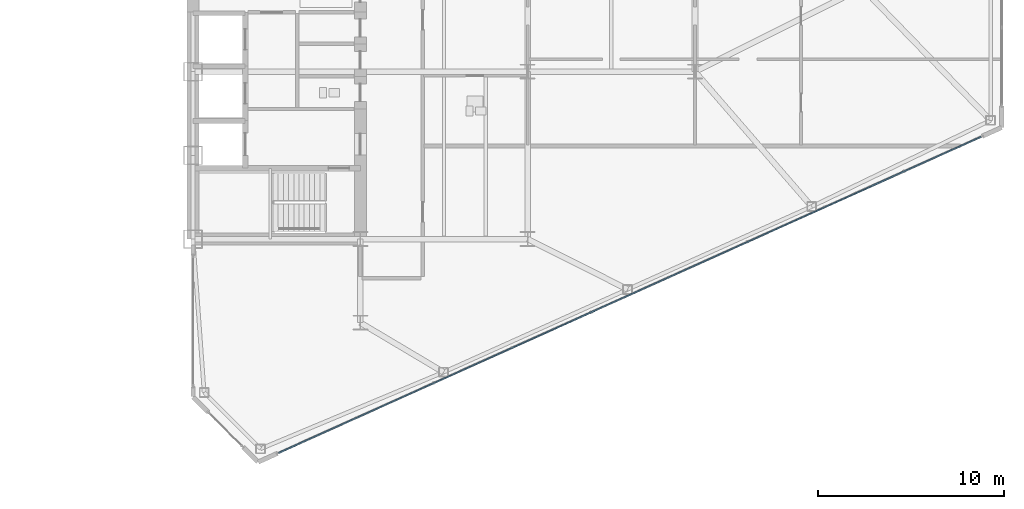
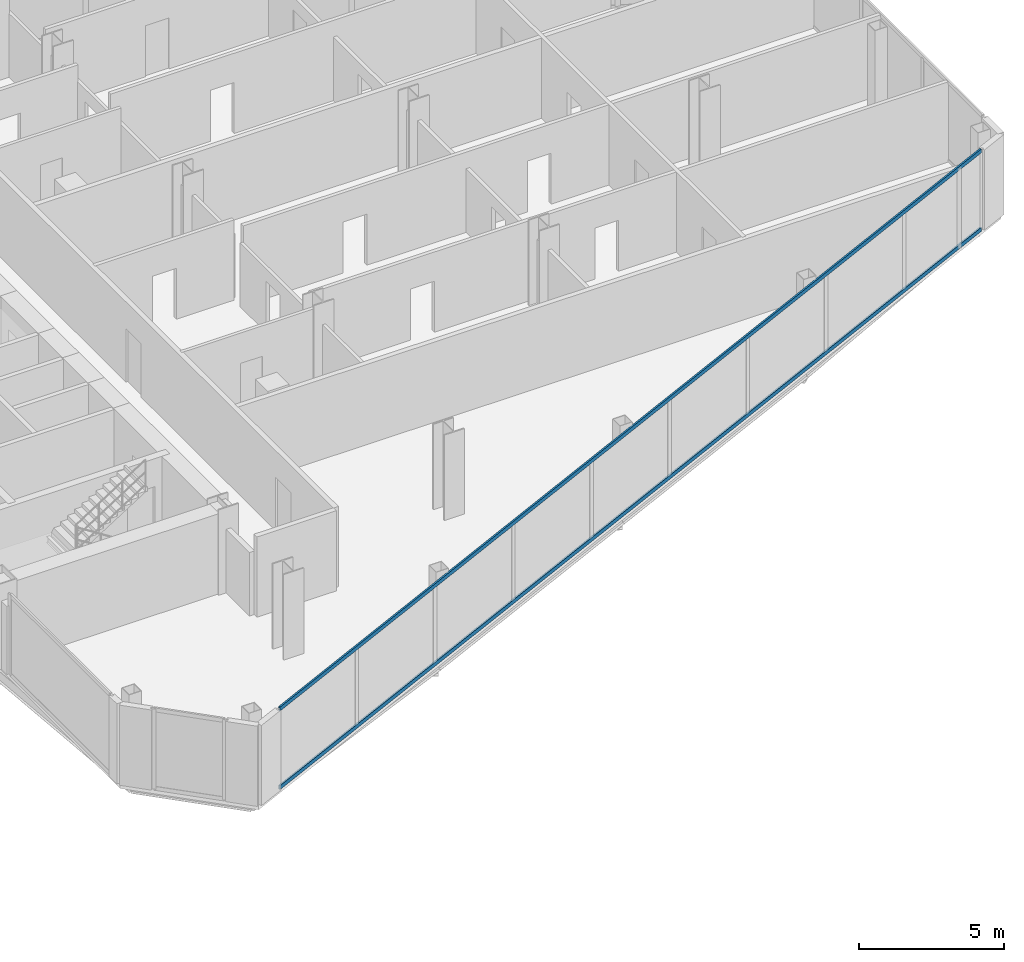
# One storey, part 11 of 27: 2 members, 1 element without a shape of its own.
"""IFC4 building model written with IfcOpenShell, lengths in metres."""

from ifc_helpers import new_model, si_unit, direction, frame, origin, origin_2d, place, context, subcontext, project, spatial, rectangle, extrude, source, transform, mapped, material, layer, layer_set, material_profile, profile_set, type_object, type_shapes, element, aggregate, save


model = new_model("IFC4")

# Units and contexts
model_context = context("Model", 3, precision=1e-05, world=origin(), true_north=direction((0.0, 1.0)))
body_context = subcontext(model_context, "Body", "Model", "MODEL_VIEW")
ifc_project = project(units=[si_unit("LENGTHUNIT", "METRE"), si_unit("AREAUNIT", "SQUARE_METRE"), si_unit("VOLUMEUNIT", "CUBIC_METRE"), si_unit("PLANEANGLEUNIT", "RADIAN"), si_unit("MASSUNIT", "GRAM", prefix="KILO")], contexts=[model_context])

# Site, building, storey
site_placement = place(None, origin())
site = spatial("IfcSite", under=ifc_project, at=site_placement, CompositionType="ELEMENT")
building_placement = place(site_placement, origin())
building = spatial("IfcBuilding", under=site, at=building_placement, Name="Seokmaru Belvedere", CompositionType="ELEMENT")
storey_placement = place(building_placement, frame((0.0, 0.0, 76.5)))
storey = spatial("IfcBuildingStorey", under=building, at=storey_placement, Name="L20", CompositionType="ELEMENT", Elevation=76.5)

# Curtain wall, members
ifc_material_1 = material(Name="Bronze Triple Insulating Glass", Category="glass")
ifc_layer = layer(ifc_material_1, 0.195068359375)
ifc_layer_set = layer_set([ifc_layer], Name="Bronze Triple Insulating Glass")
curtain_wall_type = type_object("IfcCurtainWallType", Name="Lower-Mid Tapered Curtain Wall System CW-3", PredefinedType="NOTDEFINED", material=ifc_layer_set)
curtain_wall_placement = place(storey_placement, origin())
curtain_wall = element("IfcCurtainWall", 1, at=curtain_wall_placement, inside=storey, type_object=curtain_wall_type, Name="L20 Curtain Wall EF1", PredefinedType="NOTDEFINED")
ifc_material_2 = material(Name="Anodised Bronze Aluminium", Category="aluminium")
ifc_material_profile = material_profile(ifc_material_2, rectangle(XDim=0.070068359375, YDim=0.1650390625, at=origin_2d()), Name="CW-T-70x165")
ifc_profile_set = profile_set([ifc_material_profile], Name="Anodised Bronze Aluminium")
member_type = type_object("IfcMemberType", Name="Bronze Unitised Transom 70x165", PredefinedType="USERDEFINED", material=ifc_profile_set)
shared_shape = source(origin(), body_context, "Body", "SweptSolid", [
    extrude(rectangle(XDim=0.070068359375, YDim=0.1650390625, at=origin_2d()), origin(), (0.0, 0.0, 1.0), 41.423583984375),
])
type_shapes(member_type, [shared_shape])
member_1_placement = place(storey_placement, frame((32.112548828125, -24.99951171875, 0.034912109375), z_axis=(0.911918637916, 0.410371048956, 0.0), x_axis=(-0.410371048956, 0.911918637916, 0.0)))
member_1 = element("IfcMember", 2, at=member_1_placement, type_object=member_type, Name="CW:L20:EF1 Continuous Transom 1", ObjectType="TRANSOM", PredefinedType="USERDEFINED", context=body_context, shape_type="MappedRepresentation", body=[
    mapped(shared_shape, transform((0.0, 0.0, 0.0), scale=1.0)),
])
member_2_placement = place(storey_placement, frame((32.112548828125, -24.99951171875, 3.344970703125), z_axis=(0.911918637916, 0.410371048956, 0.0), x_axis=(-0.410371048956, 0.911918637916, 0.0)))
member_2 = element("IfcMember", 3, at=member_2_placement, type_object=member_type, Name="CW:L20:EF1 Continuous Transom 2", ObjectType="TRANSOM", PredefinedType="USERDEFINED", context=body_context, shape_type="MappedRepresentation", body=[
    mapped(shared_shape, transform((0.0, 0.0, 0.0), scale=1.0)),
])
aggregate(curtain_wall, [member_1, member_2])

save(model, "model.ifc")
